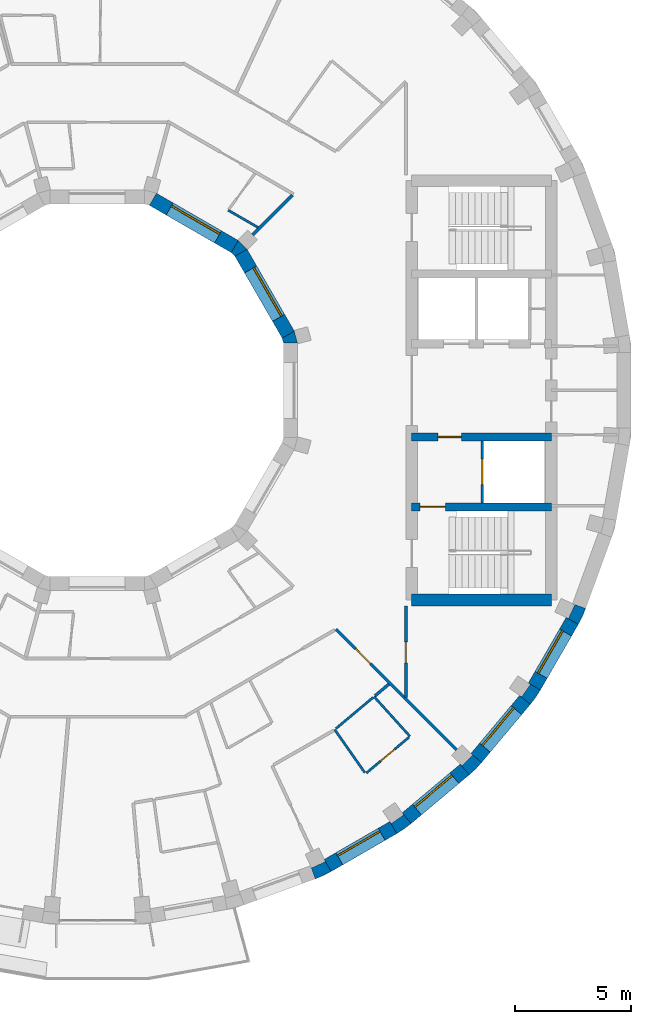
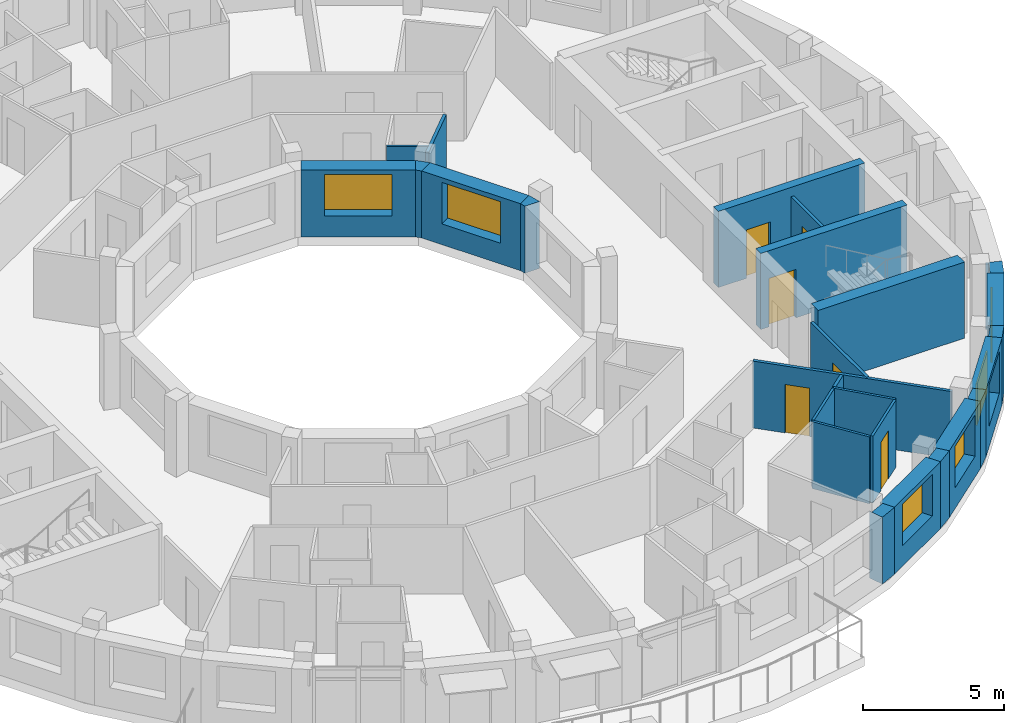
# One storey, part 7 of 12: 26 walls, 6 doors, 6 windows, 12 openings.
"""IFC4 building model written with IfcOpenShell, lengths in metres."""

from ifc_helpers import new_model, si_unit, direction, frame, frame_2d, origin, place, context, subcontext, project, spatial, polyline, rectangle, outline, extrude, material, layer, layer_set, type_object, element, fill, save


model = new_model("IFC4")

# Units and contexts
model_context = context("Model", 3, precision=1e-05, world=origin(), true_north=direction((0.0, 1.0)))
body_context = subcontext(model_context, "Body", "Model", "MODEL_VIEW")
ifc_project = project(units=[si_unit("LENGTHUNIT", "METRE"), si_unit("AREAUNIT", "SQUARE_METRE"), si_unit("VOLUMEUNIT", "CUBIC_METRE"), si_unit("PLANEANGLEUNIT", "RADIAN"), si_unit("MASSUNIT", "GRAM", prefix="KILO")], contexts=[model_context])

# Site, building, storey
site_placement = place(None, origin())
site = spatial("IfcSite", under=ifc_project, at=site_placement, CompositionType="ELEMENT")
building_placement = place(site_placement, origin())
building = spatial("IfcBuilding", under=site, at=building_placement, Name="Saqina Gate Tower", CompositionType="ELEMENT")
storey_placement = place(building_placement, frame((0.0, 0.0, 269.300048828125)))
storey = spatial("IfcBuildingStorey", under=building, at=storey_placement, Name="L77", CompositionType="ELEMENT", Elevation=269.300048828125)

# Walls
ifc_material_1 = material(Name="Brick masonry (buff)", Category="masonry")
wall_type_1 = type_object("IfcWallType", Name="BRICK PIER COPING BUFF", PredefinedType="SOLIDWALL", material=ifc_material_1)
wall_1_placement = place(storey_placement, origin())
element("IfcWall", 1, at=wall_1_placement, inside=storey, type_object=wall_type_1, Name="Pier cap L77 column 30", PredefinedType="SOLIDWALL", context=body_context, shape_type="SweptSolid", body=[
    extrude(outline(polyline([(9.3642578125, -20.974609375), (10.048095703125, -20.65576171875), (9.748291015625, -20.135986328125), (9.79296875, -20.23193359375), (9.203857421875, -20.506591796875), (9.1591796875, -20.410888671875), (9.3642578125, -20.974609375)])), origin(), (0.0, 0.0, 1.0), 2.89990234375),
])
wall_2_placement = place(storey_placement, origin())
element("IfcWall", 2, at=wall_2_placement, inside=storey, type_object=wall_type_1, Name="Pier cap L77 column 31", PredefinedType="SOLIDWALL", context=body_context, shape_type="SweptSolid", body=[
    extrude(outline(polyline([(12.8642578125, -19.02978515625), (13.482421875, -18.59716796875), (13.0966796875, -18.137451171875), (13.157470703125, -18.22412109375), (12.625, -18.596923828125), (12.564208984375, -18.51025390625), (12.8642578125, -19.02978515625)])), origin(), (0.0, 0.0, 1.0), 2.89990234375),
])
wall_3_placement = place(storey_placement, origin())
element("IfcWall", 3, at=wall_3_placement, inside=storey, type_object=wall_type_1, Name="Pier cap L77 column 32", PredefinedType="SOLIDWALL", context=body_context, shape_type="SweptSolid", body=[
    extrude(outline(polyline([(16.5068359375, -15.973388671875), (16.04736328125, -15.587646484375), (16.1220703125, -15.662353515625), (15.662353515625, -16.1220703125), (15.587646484375, -16.04736328125), (15.973388671875, -16.5068359375), (16.5068359375, -15.973388671875)])), origin(), (0.0, 0.0, 1.0), 2.89990234375),
])
wall_4_placement = place(storey_placement, origin())
element("IfcWall", 4, at=wall_4_placement, inside=storey, type_object=wall_type_1, Name="Pier cap L77 column 33", PredefinedType="SOLIDWALL", context=body_context, shape_type="SweptSolid", body=[
    extrude(outline(polyline([(19.02978515625, -12.8642578125), (18.51025390625, -12.564208984375), (18.596923828125, -12.625), (18.22412109375, -13.157470703125), (18.137451171875, -13.0966796875), (18.59716796875, -13.482421875), (19.02978515625, -12.8642578125)])), origin(), (0.0, 0.0, 1.0), 2.89990234375),
])
wall_5_placement = place(storey_placement, origin())
element("IfcWall", 5, at=wall_5_placement, inside=storey, type_object=wall_type_1, Name="Pier cap L77 column 34", PredefinedType="SOLIDWALL", context=body_context, shape_type="SweptSolid", body=[
    extrude(outline(polyline([(20.65576171875, -10.048095703125), (20.974609375, -9.3642578125), (20.410888671875, -9.1591796875), (20.506591796875, -9.203857421875), (20.23193359375, -9.79296875), (20.135986328125, -9.748291015625), (20.65576171875, -10.048095703125)])), origin(), (0.0, 0.0, 1.0), 2.89990234375),
])

# Wall, opening, window
ifc_material_2 = material(Name="Brick masonry (buff)", Category="masonry")
ifc_layer_1 = layer(ifc_material_2, 0.60009765625)
ifc_layer_set_1 = layer_set([ifc_layer_1], Name="FW-BRICK-BUFF")
wall_type_2 = type_object("IfcWallType", Name="FW-BRICK-BUFF", PredefinedType="SOLIDWALL", material=ifc_layer_set_1)
wall_6_placement = place(storey_placement, frame((9.898193359375, -20.39599609375, 0.0), z_axis=(0.0, 0.0, 1.0), x_axis=(0.866016800201, 0.500014901547, 0.0)))
wall_6 = element("IfcWall", 6, at=wall_6_placement, inside=storey, type_object=wall_type_2, Name="Facade wall L77 facet 30", PredefinedType="SOLIDWALL", context=body_context, shape_type="SweptSolid", body=[
    extrude(rectangle(XDim=3.251953125, YDim=0.60009765625, at=frame_2d((1.6259765625, 0.0))), origin(), (0.0, 0.0, 1.0), 2.89990234375),
])
opening_1_placement = place(wall_6_placement, frame((0.57568359375, 0.0, 0.89990234375)))
opening_1 = element("IfcOpeningElement", 7, at=opening_1_placement, cuts=wall_6, Name="Opening G23-W19", PredefinedType="OPENING", context=body_context, shape_type="SweptSolid", body=[
    extrude(rectangle(XDim=2.10009765625, YDim=1.800048828125, at=frame_2d((1.050048828125, 0.89990234375))), frame((0.0, 0.31201171875, 0.0), z_axis=(0.0, -1.0, 0.0), x_axis=(1.0, 0.0, 0.0)), (0.0, 0.0, 1.0), 0.6240234375),
])
ifc_material_3 = material(Name="Aluminium glazing", Category="aluminium")
window_type_1 = type_object("IfcWindowType", Name="WN-D", PartitioningType="SINGLE_PANEL", PredefinedType="WINDOW", material=ifc_material_3)
window_1_placement = place(opening_1_placement, origin())
window_1 = element("IfcWindow", 8, at=window_1_placement, inside=storey, type_object=window_type_1, Name="Window L77 facet 30", OverallHeight=1.800048828125, OverallWidth=2.10009765625, PartitioningType="SINGLE_PANEL", PredefinedType="WINDOW", context=body_context, shape_type="SweptSolid", body=[
    extrude(rectangle(XDim=2.10009765625, YDim=1.800048828125, at=frame_2d((1.050048828125, 0.89990234375))), frame((0.0, 0.179931640625, 0.0), z_axis=(0.0, -1.0, 0.0), x_axis=(1.0, 0.0, 0.0)), (0.0, 0.0, 1.0), 0.06005859375),
])
fill(opening_1, window_1)

wall_7_placement = place(storey_placement, frame((13.28955078125, -18.3671875, 0.0), z_axis=(0.0, 0.0, 1.0), x_axis=(0.766056773982, 0.64277291405, 0.0)))
wall_7 = element("IfcWall", 9, at=wall_7_placement, inside=storey, type_object=wall_type_2, Name="Facade wall L77 facet 31", PredefinedType="SOLIDWALL", context=body_context, shape_type="SweptSolid", body=[
    extrude(rectangle(XDim=3.251708984375, YDim=0.60009765625, at=frame_2d((1.6259765625, 0.0))), origin(), (0.0, 0.0, 1.0), 2.89990234375),
])
opening_2_placement = place(wall_7_placement, frame((0.57568359375, 0.0, 0.89990234375)))
opening_2 = element("IfcOpeningElement", 10, at=opening_2_placement, cuts=wall_7, Name="Opening G23-W20", PredefinedType="OPENING", context=body_context, shape_type="SweptSolid", body=[
    extrude(rectangle(XDim=2.10009765625, YDim=1.800048828125, at=frame_2d((1.050048828125, 0.89990234375))), frame((0.0, 0.31201171875, 0.0), z_axis=(0.0, -1.0, 0.0), x_axis=(1.0, 0.0, 0.0)), (0.0, 0.0, 1.0), 0.6240234375),
])
window_2_placement = place(opening_2_placement, origin())
window_2 = element("IfcWindow", 11, at=window_2_placement, inside=storey, type_object=window_type_1, Name="Window L77 facet 31", OverallHeight=1.800048828125, OverallWidth=2.10009765625, PartitioningType="SINGLE_PANEL", PredefinedType="WINDOW", context=body_context, shape_type="SweptSolid", body=[
    extrude(rectangle(XDim=2.10009765625, YDim=1.800048828125, at=frame_2d((1.050048828125, 0.89990234375))), frame((0.0, 0.179931640625, 0.0), z_axis=(0.0, -1.0, 0.0), x_axis=(1.0, 0.0, 0.0)), (0.0, 0.0, 1.0), 0.06005859375),
])
fill(opening_2, window_2)

wall_8_placement = place(storey_placement, frame((16.277099609375, -15.780517578125, 0.0), z_axis=(0.0, 0.0, 1.0), x_axis=(0.64277291405, 0.766056773982, 0.0)))
wall_8 = element("IfcWall", 12, at=wall_8_placement, inside=storey, type_object=wall_type_2, Name="Facade wall L77 facet 32", PredefinedType="SOLIDWALL", context=body_context, shape_type="SweptSolid", body=[
    extrude(rectangle(XDim=3.251708984375, YDim=0.60009765625, at=frame_2d((1.6259765625, 0.0))), origin(), (0.0, 0.0, 1.0), 2.89990234375),
])
opening_3_placement = place(wall_8_placement, frame((0.57568359375, 0.0, 0.89990234375)))
opening_3 = element("IfcOpeningElement", 13, at=opening_3_placement, cuts=wall_8, Name="Opening G23-W21", PredefinedType="OPENING", context=body_context, shape_type="SweptSolid", body=[
    extrude(rectangle(XDim=2.10009765625, YDim=1.800048828125, at=frame_2d((1.050048828125, 0.89990234375))), frame((0.0, 0.31201171875, 0.0), z_axis=(0.0, -1.0, 0.0), x_axis=(1.0, 0.0, 0.0)), (0.0, 0.0, 1.0), 0.6240234375),
])
window_3_placement = place(opening_3_placement, origin())
window_3 = element("IfcWindow", 14, at=window_3_placement, inside=storey, type_object=window_type_1, Name="Window L77 facet 32", OverallHeight=1.800048828125, OverallWidth=2.10009765625, PartitioningType="SINGLE_PANEL", PredefinedType="WINDOW", context=body_context, shape_type="SweptSolid", body=[
    extrude(rectangle(XDim=2.10009765625, YDim=1.800048828125, at=frame_2d((1.050048828125, 0.89990234375))), frame((0.0, 0.179931640625, 0.0), z_axis=(0.0, -1.0, 0.0), x_axis=(1.0, 0.0, 0.0)), (0.0, 0.0, 1.0), 0.06005859375),
])
fill(opening_3, window_3)

wall_9_placement = place(storey_placement, frame((18.77001953125, -12.71435546875, 0.0), z_axis=(0.0, 0.0, 1.0), x_axis=(0.500014901547, 0.866016800201, 0.0)))
wall_9 = element("IfcWall", 15, at=wall_9_placement, inside=storey, type_object=wall_type_2, Name="Facade wall L77 facet 33", PredefinedType="SOLIDWALL", context=body_context, shape_type="SweptSolid", body=[
    extrude(rectangle(XDim=3.251953125, YDim=0.60009765625, at=frame_2d((1.6259765625, 0.0))), origin(), (0.0, 0.0, 1.0), 2.89990234375),
])
opening_4_placement = place(wall_9_placement, frame((0.57568359375, 0.0, 0.89990234375)))
opening_4 = element("IfcOpeningElement", 16, at=opening_4_placement, cuts=wall_9, Name="Opening G23-W22", PredefinedType="OPENING", context=body_context, shape_type="SweptSolid", body=[
    extrude(rectangle(XDim=2.10009765625, YDim=1.800048828125, at=frame_2d((1.050048828125, 0.89990234375))), frame((0.0, 0.31201171875, 0.0), z_axis=(0.0, -1.0, 0.0), x_axis=(1.0, 0.0, 0.0)), (0.0, 0.0, 1.0), 0.6240234375),
])
window_4_placement = place(opening_4_placement, origin())
window_4 = element("IfcWindow", 17, at=window_4_placement, inside=storey, type_object=window_type_1, Name="Window L77 facet 33", OverallHeight=1.800048828125, OverallWidth=2.10009765625, PartitioningType="SINGLE_PANEL", PredefinedType="WINDOW", context=body_context, shape_type="SweptSolid", body=[
    extrude(rectangle(XDim=2.10009765625, YDim=1.800048828125, at=frame_2d((1.050048828125, 0.89990234375))), frame((0.0, 0.179931640625, 0.0), z_axis=(0.0, -1.0, 0.0), x_axis=(1.0, 0.0, 0.0)), (0.0, 0.0, 1.0), 0.06005859375),
])
fill(opening_4, window_4)

ifc_material_4 = material(Name="Glazed ceramic tile", Category="ceramic")
ifc_layer_2 = layer(ifc_material_4, 0.60009765625)
ifc_layer_set_2 = layer_set([ifc_layer_2], Name="IW-TILE")
wall_type_3 = type_object("IfcWallType", Name="IW-TILE", PredefinedType="SOLIDWALL", material=ifc_layer_set_2)
wall_10_placement = place(storey_placement, frame((8.20263671875, 2.392578125, 0.0), z_axis=(0.0, 0.0, 1.0), x_axis=(-0.499994954979, 0.866028316509, 0.0)))
wall_10 = element("IfcWall", 18, at=wall_10_placement, inside=storey, type_object=wall_type_3, Name="Well wall L77 facet 1", PredefinedType="SOLIDWALL", context=body_context, shape_type="SweptSolid", body=[
    extrude(rectangle(XDim=4.05859375, YDim=0.60009765625, at=frame_2d((2.029296875, 0.0))), origin(), (0.0, 0.0, 1.0), 2.89990234375),
])
opening_5_placement = place(wall_10_placement, frame((0.829345703125, 0.0, 0.89990234375)))
opening_5 = element("IfcOpeningElement", 19, at=opening_5_placement, cuts=wall_10, Name="Opening G23-W23", PredefinedType="OPENING", context=body_context, shape_type="SweptSolid", body=[
    extrude(rectangle(XDim=2.39990234375, YDim=1.800048828125, at=frame_2d((1.199951171875, 0.89990234375))), frame((0.0, 0.31201171875, 0.0), z_axis=(0.0, -1.0, 0.0), x_axis=(1.0, 0.0, 0.0)), (0.0, 0.0, 1.0), 0.6240234375),
])
ifc_material_5 = material(Name="Aluminium glazing", Category="aluminium")
window_type_2 = type_object("IfcWindowType", Name="WN-W", PartitioningType="SINGLE_PANEL", PredefinedType="WINDOW", material=ifc_material_5)
window_5_placement = place(opening_5_placement, origin())
window_5 = element("IfcWindow", 20, at=window_5_placement, inside=storey, type_object=window_type_2, Name="Well window L77 facet 1", OverallHeight=1.800048828125, OverallWidth=2.39990234375, PartitioningType="SINGLE_PANEL", PredefinedType="WINDOW", context=body_context, shape_type="SweptSolid", body=[
    extrude(rectangle(XDim=2.39990234375, YDim=1.800048828125, at=frame_2d((1.199951171875, 0.89990234375))), frame((0.0, -0.119873046875, 0.0), z_axis=(0.0, -1.0, 0.0), x_axis=(1.0, 0.0, 0.0)), (0.0, 0.0, 1.0), 0.06005859375),
])
fill(opening_5, window_5)

wall_11_placement = place(storey_placement, frame((5.907470703125, 6.17333984375, 0.0), z_axis=(0.0, 0.0, 1.0), x_axis=(-0.866028316509, 0.499994954979, 0.0)))
wall_11 = element("IfcWall", 21, at=wall_11_placement, inside=storey, type_object=wall_type_3, Name="Well wall L77 facet 2", PredefinedType="SOLIDWALL", context=body_context, shape_type="SweptSolid", body=[
    extrude(rectangle(XDim=4.05859375, YDim=0.60009765625, at=frame_2d((2.029296875, 0.0))), origin(), (0.0, 0.0, 1.0), 2.89990234375),
])
opening_6_placement = place(wall_11_placement, frame((0.829345703125, 0.0, 0.89990234375)))
opening_6 = element("IfcOpeningElement", 22, at=opening_6_placement, cuts=wall_11, Name="Opening G23-W24", PredefinedType="OPENING", context=body_context, shape_type="SweptSolid", body=[
    extrude(rectangle(XDim=2.39990234375, YDim=1.800048828125, at=frame_2d((1.199951171875, 0.89990234375))), frame((0.0, 0.31201171875, 0.0), z_axis=(0.0, -1.0, 0.0), x_axis=(1.0, 0.0, 0.0)), (0.0, 0.0, 1.0), 0.6240234375),
])
window_6_placement = place(opening_6_placement, origin())
window_6 = element("IfcWindow", 23, at=window_6_placement, inside=storey, type_object=window_type_2, Name="Well window L77 facet 2", OverallHeight=1.800048828125, OverallWidth=2.39990234375, PartitioningType="SINGLE_PANEL", PredefinedType="WINDOW", context=body_context, shape_type="SweptSolid", body=[
    extrude(rectangle(XDim=2.39990234375, YDim=1.800048828125, at=frame_2d((1.199951171875, 0.89990234375))), frame((0.0, -0.119873046875, 0.0), z_axis=(0.0, -1.0, 0.0), x_axis=(1.0, 0.0, 0.0)), (0.0, 0.0, 1.0), 0.06005859375),
])
fill(opening_6, window_6)

# Walls
ifc_material_6 = material(Name="Gypsum board on steel studs, 100 mm", Category="steel")
ifc_layer_3 = layer(ifc_material_6, 0.10009765625)
ifc_layer_set_3 = layer_set([ifc_layer_3], Name="PARTITION 100")
wall_type_4 = type_object("IfcWallType", Name="PARTITION 100", PredefinedType="PARTITIONING", material=ifc_layer_set_3)
wall_12_placement = place(storey_placement, frame((10.199462890625, -14.56689453125, 0.0), z_axis=(0.0, 0.0, 1.0), x_axis=(0.573796659147, -0.818997798503, 0.0)))
element("IfcWall", 24, at=wall_12_placement, inside=storey, type_object=wall_type_4, Name="PARTITION PW3-12", PredefinedType="PARTITIONING", context=body_context, shape_type="SweptSolid", body=[
    extrude(rectangle(XDim=2.254150390625, YDim=0.10009765625, at=frame_2d((1.126953125, 0.0))), origin(), (0.0, 0.0, 1.0), 2.89990234375),
])
wall_13_placement = place(storey_placement, frame((11.886962890625, -13.14794921875, 0.0), z_axis=(0.0, 0.0, 1.0), x_axis=(0.67055763685, -0.741857436211, 0.0)))
element("IfcWall", 25, at=wall_13_placement, inside=storey, type_object=wall_type_4, Name="PARTITION PW3-16", PredefinedType="PARTITIONING", context=body_context, shape_type="SweptSolid", body=[
    extrude(rectangle(XDim=2.301025390625, YDim=0.10009765625, at=frame_2d((1.150390625, 0.0))), origin(), (0.0, 0.0, 1.0), 2.89990234375),
])
wall_14_placement = place(storey_placement, frame((5.6259765625, 7.73291015625, 0.0), z_axis=(0.0, 0.0, 1.0), x_axis=(0.866144391758, -0.499793850129, 0.0)))
element("IfcWall", 26, at=wall_14_placement, inside=storey, type_object=wall_type_4, Name="PARTITION PW3-22", PredefinedType="PARTITIONING", context=body_context, shape_type="SweptSolid", body=[
    extrude(rectangle(XDim=1.47998046875, YDim=0.10009765625, at=frame_2d((0.739990234375, 0.0))), origin(), (0.0, 0.0, 1.0), 2.89990234375),
])

# Wall, opening, door
wall_15_placement = place(storey_placement, frame((11.561279296875, -16.423828125, 0.0), z_axis=(0.0, 0.0, 1.0), x_axis=(0.765894211942, 0.642966605753, 0.0)))
wall_15 = element("IfcWall", 27, at=wall_15_placement, inside=storey, type_object=wall_type_4, Name="PARTITION PW3-37", PredefinedType="PARTITIONING", context=body_context, shape_type="SweptSolid", body=[
    extrude(rectangle(XDim=2.38720703125, YDim=0.10009765625, at=frame_2d((1.193603515625, 0.0))), origin(), (0.0, 0.0, 1.0), 2.89990234375),
])
opening_7_placement = place(wall_15_placement, frame((0.794189453125, 0.0, 0.0)))
opening_7 = element("IfcOpeningElement", 28, at=opening_7_placement, cuts=wall_15, Name="Opening G23-D39", PredefinedType="OPENING", context=body_context, shape_type="SweptSolid", body=[
    extrude(rectangle(XDim=0.800048828125, YDim=2.10009765625, at=frame_2d((0.39990234375, 1.050048828125))), frame((0.0, 0.06201171875, 0.0), z_axis=(0.0, -1.0, 0.0), x_axis=(1.0, 0.0, 0.0)), (0.0, 0.0, 1.0), 0.1240234375),
])
ifc_material_7 = material(Name="Timber door leaf, 800 mm", Category="wood")
door_type_1 = type_object("IfcDoorType", Name="DOOR 800 TIMBER", OperationType="SINGLE_SWING_LEFT", PredefinedType="DOOR", material=ifc_material_7)
door_1_placement = place(opening_7_placement, frame((0.800048828125, 0.0, 0.0), z_axis=(0.0, 0.0, 1.0), x_axis=(-1.0, 0.0, 0.0)))
door_1 = element("IfcDoor", 29, at=door_1_placement, inside=storey, type_object=door_type_1, Name="DOOR G23-D39", OperationType="SINGLE_SWING_LEFT", OverallHeight=2.10009765625, OverallWidth=0.800048828125, PredefinedType="DOOR", context=body_context, shape_type="SweptSolid", body=[
    extrude(rectangle(XDim=0.800048828125, YDim=2.10009765625, at=frame_2d((0.39990234375, 1.050048828125))), frame((0.0, 0.02490234375, 0.0), z_axis=(0.0, -1.0, 0.0), x_axis=(1.0, 0.0, 0.0)), (0.0, 0.0, 1.0), 0.050048828125),
])
fill(opening_7, door_1)

# Wall
wall_16_placement = place(storey_placement, frame((10.245849609375, -14.52490234375, 0.0), z_axis=(0.0, 0.0, 1.0), x_axis=(0.766084035901, 0.642740421895, 0.0)))
element("IfcWall", 30, at=wall_16_placement, inside=storey, type_object=wall_type_4, Name="PARTITION PW3-38", PredefinedType="PARTITIONING", context=body_context, shape_type="SweptSolid", body=[
    extrude(rectangle(XDim=2.09228515625, YDim=0.10009765625, at=frame_2d((1.046142578125, 0.0))), origin(), (0.0, 0.0, 1.0), 2.89990234375),
])

# Wall, opening, door
ifc_material_8 = material(Name="Gypsum board on steel studs, 125 mm, fire rated", Category="steel")
ifc_layer_4 = layer(ifc_material_8, 0.125)
ifc_layer_set_4 = layer_set([ifc_layer_4], Name="PARTITION EI 30 125")
wall_type_5 = type_object("IfcWallType", Name="PARTITION EI 30 125", PredefinedType="PARTITIONING", material=ifc_layer_set_4)
wall_17_placement = place(storey_placement, frame((10.256103515625, -10.256103515625, 0.0), z_axis=(0.0, 0.0, 1.0), x_axis=(0.707106781187, -0.707106781187, 0.0)))
wall_17 = element("IfcWall", 31, at=wall_17_placement, inside=storey, type_object=wall_type_5, Name="PARTITION PW1-10", PredefinedType="PARTITIONING", context=body_context, shape_type="SweptSolid", body=[
    extrude(rectangle(XDim=7.310791015625, YDim=0.125, at=frame_2d((3.6552734375, 0.0))), origin(), (0.0, 0.0, 1.0), 2.89990234375),
])
opening_8_placement = place(wall_17_placement, frame((1.187744140625, 0.0, 0.0)))
opening_8 = element("IfcOpeningElement", 32, at=opening_8_placement, cuts=wall_17, Name="Opening G23-D40", PredefinedType="OPENING", context=body_context, shape_type="SweptSolid", body=[
    extrude(rectangle(XDim=0.89990234375, YDim=2.10009765625, at=frame_2d((0.449951171875, 1.050048828125))), frame((0.0, 0.074462890625, 0.0), z_axis=(0.0, -1.0, 0.0), x_axis=(1.0, 0.0, 0.0)), (0.0, 0.0, 1.0), 0.14892578125),
])
ifc_material_9 = material(Name="Fire door leaf EI 30, 900 mm")
door_type_2 = type_object("IfcDoorType", Name="DOOR 900 EI 30", OperationType="SINGLE_SWING_LEFT", PredefinedType="DOOR", material=ifc_material_9)
door_2_placement = place(opening_8_placement, frame((0.89990234375, 0.0, 0.0), z_axis=(0.0, 0.0, 1.0), x_axis=(-1.0, 0.0, 0.0)))
door_2 = element("IfcDoor", 33, at=door_2_placement, inside=storey, type_object=door_type_2, Name="DOOR G23-D40", OperationType="SINGLE_SWING_RIGHT", OverallHeight=2.10009765625, OverallWidth=0.89990234375, PredefinedType="DOOR", context=body_context, shape_type="SweptSolid", body=[
    extrude(rectangle(XDim=0.89990234375, YDim=2.10009765625, at=frame_2d((0.449951171875, 1.050048828125))), frame((0.0, 0.02490234375, 0.0), z_axis=(0.0, -1.0, 0.0), x_axis=(1.0, 0.0, 0.0)), (0.0, 0.0, 1.0), 0.050048828125),
])
fill(opening_8, door_2)

# Walls
wall_18_placement = place(storey_placement, frame((11.92626953125, -13.114990234375, 0.0), z_axis=(0.0, 0.0, 1.0), x_axis=(0.765365590348, 0.643595768407, 0.0)))
element("IfcWall", 34, at=wall_18_placement, inside=storey, type_object=wall_type_5, Name="PARTITION PW1-30", PredefinedType="PARTITIONING", context=body_context, shape_type="SweptSolid", body=[
    extrude(rectangle(XDim=0.780029296875, YDim=0.125, at=frame_2d((0.39013671875, 0.0))), origin(), (0.0, 0.0, 1.0), 2.89990234375),
])
wall_19_placement = place(storey_placement, frame((6.6767578125, 6.6767578125, 0.0), z_axis=(0.0, 0.0, 1.0), x_axis=(0.707106781187, 0.707106781187, 0.0)))
element("IfcWall", 35, at=wall_19_placement, inside=storey, type_object=wall_type_5, Name="PARTITION PW1-34", PredefinedType="PARTITIONING", context=body_context, shape_type="SweptSolid", body=[
    extrude(rectangle(XDim=2.411376953125, YDim=0.125, at=frame_2d((1.20556640625, 0.0))), origin(), (0.0, 0.0, 1.0), 2.89990234375),
])

# Wall, opening, door
wall_20_placement = place(storey_placement, frame((13.25, -13.1875, 0.0), z_axis=(0.0, 0.0, 1.0), x_axis=(0.0, 1.0, 0.0)))
wall_20 = element("IfcWall", 36, at=wall_20_placement, inside=storey, type_object=wall_type_5, Name="PARTITION PW1-39", PredefinedType="PARTITIONING", context=body_context, shape_type="SweptSolid", body=[
    extrude(rectangle(XDim=3.9375, YDim=0.125, at=frame_2d((1.96875, 0.0))), origin(), (0.0, 0.0, 1.0), 2.89990234375),
])
opening_9_placement = place(wall_20_placement, frame((1.487548828125, 0.0, 0.0)))
opening_9 = element("IfcOpeningElement", 37, at=opening_9_placement, cuts=wall_20, Name="Opening G23-D41", PredefinedType="OPENING", context=body_context, shape_type="SweptSolid", body=[
    extrude(rectangle(XDim=0.89990234375, YDim=2.10009765625, at=frame_2d((0.449951171875, 1.050048828125))), frame((0.0, 0.074462890625, 0.0), z_axis=(0.0, -1.0, 0.0), x_axis=(1.0, 0.0, 0.0)), (0.0, 0.0, 1.0), 0.14892578125),
])
door_3_placement = place(opening_9_placement, frame((0.89990234375, 0.0, 0.0), z_axis=(0.0, 0.0, 1.0), x_axis=(-1.0, 0.0, 0.0)))
door_3 = element("IfcDoor", 38, at=door_3_placement, inside=storey, type_object=door_type_2, Name="DOOR G23-D41", OperationType="SINGLE_SWING_RIGHT", OverallHeight=2.10009765625, OverallWidth=0.89990234375, PredefinedType="DOOR", context=body_context, shape_type="SweptSolid", body=[
    extrude(rectangle(XDim=0.89990234375, YDim=2.10009765625, at=frame_2d((0.449951171875, 1.050048828125))), frame((0.0, 0.02490234375, 0.0), z_axis=(0.0, -1.0, 0.0), x_axis=(1.0, 0.0, 0.0)), (0.0, 0.0, 1.0), 0.050048828125),
])
fill(opening_9, door_3)

ifc_material_10 = material(Name="Autoclaved aerated concrete block", Category="concrete")
ifc_layer_5 = layer(ifc_material_10, 0.1201171875)
ifc_layer_set_5 = layer_set([ifc_layer_5], Name="SHAFT PARTITION")
wall_type_6 = type_object("IfcWallType", Name="SHAFT PARTITION", PredefinedType="PARTITIONING", material=ifc_layer_set_5)
wall_21_placement = place(storey_placement, frame((16.530029296875, -4.824951171875, 0.0), z_axis=(0.0, 0.0, 1.0), x_axis=(0.0, 1.0, 0.0)))
wall_21 = element("IfcWall", 39, at=wall_21_placement, inside=storey, type_object=wall_type_6, Name="L77-CP-E09", PredefinedType="PARTITIONING", context=body_context, shape_type="SweptSolid", body=[
    extrude(rectangle(XDim=2.64990234375, YDim=0.1201171875, at=frame_2d((1.324951171875, 0.0))), origin(), (0.0, 0.0, 1.0), 2.89990234375),
])
opening_10_placement = place(wall_21_placement, frame((0.77490234375, 0.0, 0.0)))
opening_10 = element("IfcOpeningElement", 40, at=opening_10_placement, cuts=wall_21, Name="Opening G23-LD3", PredefinedType="OPENING", context=body_context, shape_type="SweptSolid", body=[
    extrude(rectangle(XDim=1.10009765625, YDim=2.10009765625, at=frame_2d((0.550048828125, 1.050048828125))), frame((0.0, 0.072021484375, 0.0), z_axis=(0.0, -1.0, 0.0), x_axis=(1.0, 0.0, 0.0)), (0.0, 0.0, 1.0), 0.14404296875),
])
ifc_material_11 = material(Name="Stainless steel", Category="steel")
door_type_3 = type_object("IfcDoorType", Name="LANDING DOOR", OperationType="DOUBLE_DOOR_SLIDING", PredefinedType="DOOR", material=ifc_material_11)
door_4_placement = place(opening_10_placement, origin())
door_4 = element("IfcDoor", 41, at=door_4_placement, inside=storey, type_object=door_type_3, Name="LANDING DOOR FF1", OperationType="DOUBLE_DOOR_SLIDING", OverallHeight=2.10009765625, OverallWidth=1.10009765625, PredefinedType="DOOR", context=body_context, shape_type="SweptSolid", body=[
    extrude(rectangle(XDim=1.10009765625, YDim=2.10009765625, at=frame_2d((0.550048828125, 1.050048828125))), frame((0.0, 0.02490234375, 0.0), z_axis=(0.0, -1.0, 0.0), x_axis=(1.0, 0.0, 0.0)), (0.0, 0.0, 1.0), 0.050048828125),
])
fill(opening_10, door_4)

ifc_material_12 = material(Name="Concrete C60/75", Category="concrete")
ifc_layer_6 = layer(ifc_material_12, 0.35009765625)
ifc_layer_set_6 = layer_set([ifc_layer_6], Name="Concrete C60/75")
wall_type_7 = type_object("IfcWallType", Name="STR-CORE WALL-D-I", PredefinedType="SHEAR", material=ifc_layer_set_6)
wall_22_placement = place(storey_placement, frame((13.5, -5.0, 0.0), z_axis=(0.0, 0.0, 1.0), x_axis=(1.0, 0.0, 0.0)))
wall_22 = element("IfcWall", 42, at=wall_22_placement, inside=storey, type_object=wall_type_7, Name="CORE WALL L77 E-X2", PredefinedType="SHEAR", context=body_context, shape_type="SweptSolid", body=[
    extrude(rectangle(XDim=6.0, YDim=0.35009765625, at=frame_2d((3.0, 0.0))), origin(), (0.0, 0.0, 1.0), 3.300048828125),
])
opening_11_placement = place(wall_22_placement, frame((0.35009765625, 0.0, 0.0)))
opening_11 = element("IfcOpeningElement", 43, at=opening_11_placement, cuts=wall_22, Name="Opening G23-D97", PredefinedType="OPENING", context=body_context, shape_type="SweptSolid", body=[
    extrude(rectangle(XDim=1.10009765625, YDim=2.10009765625, at=frame_2d((0.550048828125, 1.050048828125))), frame((0.0, 0.18701171875, 0.0), z_axis=(0.0, -1.0, 0.0), x_axis=(1.0, 0.0, 0.0)), (0.0, 0.0, 1.0), 0.3740234375),
])
ifc_material_13 = material(Name="Steel", Category="steel")
door_type_4 = type_object("IfcDoorType", Name="FIRE LOBBY DOOR EI 60 WIDE", OperationType="SINGLE_SWING_LEFT", PredefinedType="DOOR", material=ifc_material_13)
door_5_placement = place(opening_11_placement, frame((1.10009765625, 0.0, 0.0), z_axis=(0.0, 0.0, 1.0), x_axis=(-1.0, 0.0, 0.0)))
door_5 = element("IfcDoor", 44, at=door_5_placement, inside=storey, type_object=door_type_4, Name="L77-CD-E08", OperationType="SINGLE_SWING_RIGHT", OverallHeight=2.10009765625, OverallWidth=1.10009765625, PredefinedType="DOOR", context=body_context, shape_type="SweptSolid", body=[
    extrude(rectangle(XDim=1.10009765625, YDim=2.10009765625, at=frame_2d((0.550048828125, 1.050048828125))), frame((0.0, 0.02490234375, 0.0), z_axis=(0.0, -1.0, 0.0), x_axis=(1.0, 0.0, 0.0)), (0.0, 0.0, 1.0), 0.050048828125),
])
fill(opening_11, door_5)

wall_23_placement = place(storey_placement, frame((13.5, -2.0, 0.0), z_axis=(0.0, 0.0, 1.0), x_axis=(1.0, 0.0, 0.0)))
wall_23 = element("IfcWall", 45, at=wall_23_placement, inside=storey, type_object=wall_type_7, Name="CORE WALL L77 E-L2", PredefinedType="SHEAR", context=body_context, shape_type="SweptSolid", body=[
    extrude(rectangle(XDim=6.0, YDim=0.35009765625, at=frame_2d((3.0, 0.0))), origin(), (0.0, 0.0, 1.0), 3.300048828125),
])
opening_12_placement = place(wall_23_placement, frame((1.139892578125, 0.0, 0.0)))
opening_12 = element("IfcOpeningElement", 46, at=opening_12_placement, cuts=wall_23, Name="Opening G23-D91", PredefinedType="OPENING", context=body_context, shape_type="SweptSolid", body=[
    extrude(rectangle(XDim=1.0, YDim=2.10009765625, at=frame_2d((0.5, 1.050048828125))), frame((0.0, 0.18701171875, 0.0), z_axis=(0.0, -1.0, 0.0), x_axis=(1.0, 0.0, 0.0)), (0.0, 0.0, 1.0), 0.3740234375),
])
ifc_material_14 = material(Name="Steel", Category="steel")
door_type_5 = type_object("IfcDoorType", Name="FIRE LOBBY DOOR EI 60", OperationType="SINGLE_SWING_LEFT", PredefinedType="DOOR", material=ifc_material_14)
door_6_placement = place(opening_12_placement, origin())
door_6 = element("IfcDoor", 47, at=door_6_placement, inside=storey, type_object=door_type_5, Name="L77-CD-E02", OperationType="SINGLE_SWING_LEFT", OverallHeight=2.10009765625, OverallWidth=1.0, PredefinedType="DOOR", context=body_context, shape_type="SweptSolid", body=[
    extrude(rectangle(XDim=1.0, YDim=2.10009765625, at=frame_2d((0.5, 1.050048828125))), frame((0.0, 0.02490234375, 0.0), z_axis=(0.0, -1.0, 0.0), x_axis=(1.0, 0.0, 0.0)), (0.0, 0.0, 1.0), 0.050048828125),
])
fill(opening_12, door_6)

# Walls
ifc_material_15 = material(Name="Concrete C60/75", Category="concrete")
ifc_layer_7 = layer(ifc_material_15, 0.5)
ifc_layer_set_7 = layer_set([ifc_layer_7], Name="Concrete C60/75")
wall_type_8 = type_object("IfcWallType", Name="STR-CORE WALL-D-O", PredefinedType="SHEAR", material=ifc_layer_set_7)
wall_24_placement = place(storey_placement, frame((13.5, -9.0, 0.0), z_axis=(0.0, 0.0, 1.0), x_axis=(1.0, 0.0, 0.0)))
element("IfcWall", 48, at=wall_24_placement, inside=storey, type_object=wall_type_8, Name="CORE WALL L77 E-SE", PredefinedType="SHEAR", context=body_context, shape_type="SweptSolid", body=[
    extrude(rectangle(XDim=6.0, YDim=0.5, at=frame_2d((3.0, 0.0))), origin(), (0.0, 0.0, 1.0), 3.300048828125),
])
ifc_material_16 = material(Name="Glazed ceramic tile", Category="ceramic")
wall_type_9 = type_object("IfcWallType", Name="TILE PIER COPING", PredefinedType="SOLIDWALL", material=ifc_material_16)
wall_25_placement = place(storey_placement, origin())
element("IfcWall", 49, at=wall_25_placement, inside=storey, type_object=wall_type_9, Name="Well pier cap L77 column 1", PredefinedType="SOLIDWALL", context=body_context, shape_type="SweptSolid", body=[
    extrude(outline(polyline([(8.46240234375, 2.54248046875), (7.94287109375, 2.242431640625), (8.0, 2.029296875), (8.60009765625, 2.029296875), (8.46240234375, 2.54248046875)])), origin(), (0.0, 0.0, 1.0), 2.89990234375),
])
wall_26_placement = place(storey_placement, origin())
element("IfcWall", 50, at=wall_26_placement, inside=storey, type_object=wall_type_9, Name="Well pier cap L77 column 2", PredefinedType="SOLIDWALL", context=body_context, shape_type="SweptSolid", body=[
    extrude(outline(polyline([(6.0576171875, 6.43310546875), (5.757568359375, 5.91357421875), (5.91357421875, 5.757568359375), (6.43310546875, 6.0576171875), (6.0576171875, 6.43310546875)])), origin(), (0.0, 0.0, 1.0), 2.89990234375),
])

save(model, "model.ifc")
